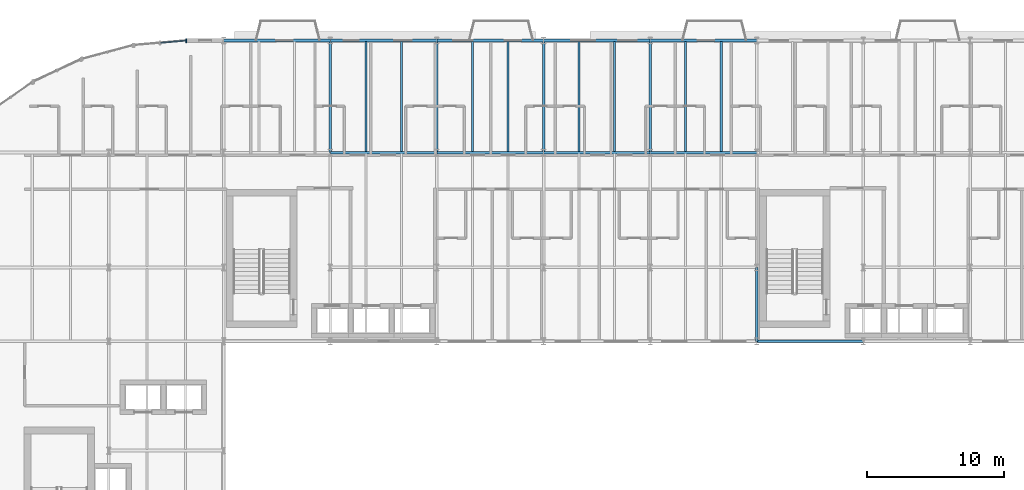
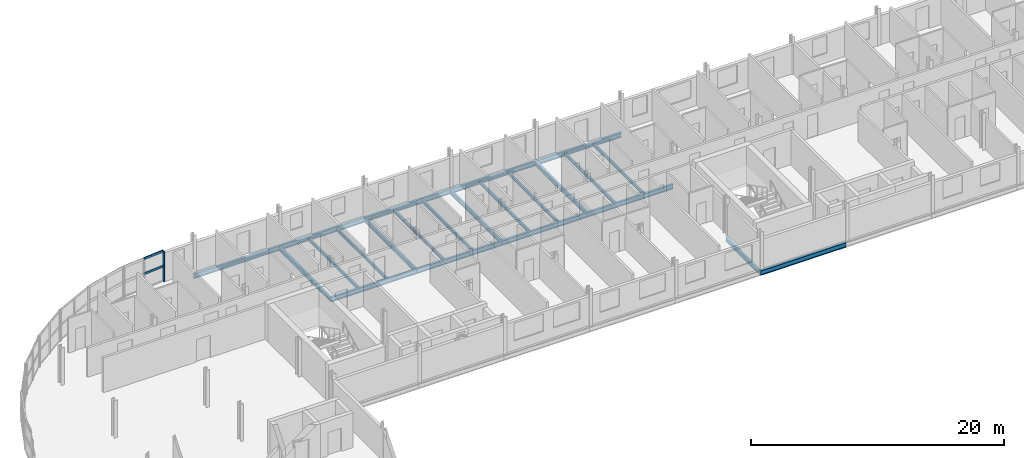
# One storey, part 12 of 36: 23 beams, 3 members, 1 element without a shape of its own.
"""IFC4 building model written with IfcOpenShell, lengths in metres."""

from ifc_helpers import new_model, si_unit, direction, frame, origin, origin_2d, place, context, subcontext, project, spatial, rectangle, i_section, extrude, material, layer, layer_set, material_profile, profile_set, type_object, element, aggregate, save


model = new_model("IFC4")

# Units and contexts
model_context = context("Model", 3, precision=1e-05, world=origin(), true_north=direction((0.0, 1.0)))
body_context = subcontext(model_context, "Body", "Model", "MODEL_VIEW")
ifc_project = project(units=[si_unit("LENGTHUNIT", "METRE"), si_unit("AREAUNIT", "SQUARE_METRE"), si_unit("VOLUMEUNIT", "CUBIC_METRE"), si_unit("PLANEANGLEUNIT", "RADIAN"), si_unit("MASSUNIT", "GRAM", prefix="KILO")], contexts=[model_context])

# Site, building, storey
site_placement = place(None, origin())
site = spatial("IfcSite", under=ifc_project, at=site_placement, CompositionType="ELEMENT")
building_placement = place(site_placement, origin())
building = spatial("IfcBuilding", under=site, at=building_placement, Name="Sefraquen Railside Congress Hotel", CompositionType="ELEMENT")
storey_placement = place(building_placement, frame((0.0, 0.0, 28.199951171875)))
storey = spatial("IfcBuildingStorey", under=building, at=storey_placement, Name="L06", CompositionType="ELEMENT", Elevation=28.199951171875)

# Beams
ifc_material_1 = material(Name="Steel S355JR", Category="steel")
ifc_material_profile_1 = material_profile(ifc_material_1, i_section(OverallWidth=0.179931640625, OverallDepth=0.39990234375, WebThickness=0.008544921875, FlangeThickness=0.013427734375, FilletRadius=0.02099609375, at=origin_2d()), Name="IPE 400")
ifc_profile_set_1 = profile_set([ifc_material_profile_1], Name="Steel S355JR")
beam_type_1 = type_object("IfcBeamType", Name="TB-BM-400I", PredefinedType="BEAM", material=ifc_profile_set_1)
for number, where, z_axis, x_axis, name in (
    (1, (33.0, 109.800048828125, -0.4599609375), (0.0, 1.0, 0.0), (-1.0, 0.0, 0.0), "Floor beam BM-L06-1673"),
    (2, (40.800048828125, 109.800048828125, -0.4599609375), (0.0, 1.0, 0.0), (-1.0, 0.0, 0.0), "Floor beam BM-L06-1676"),
    (3, (48.60009765625, 109.800048828125, -0.4599609375), (0.0, 1.0, 0.0), (-1.0, 0.0, 0.0), "Floor beam BM-L06-1679"),
    (4, (56.39990234375, 109.800048828125, -0.4599609375), (0.0, 1.0, 0.0), (-1.0, 0.0, 0.0), "Floor beam BM-L06-1682"),
):
    element("IfcBeam", number, at=place(storey_placement, frame(where, z_axis=z_axis, x_axis=x_axis)), inside=storey, type_object=beam_type_1, Name=name, PredefinedType="BEAM", context=body_context, shape_type="SweptSolid", body=[
        extrude(i_section(OverallWidth=0.179931640625, OverallDepth=0.39990234375, WebThickness=0.008544921875, FlangeThickness=0.013427734375, FilletRadius=0.02099609375, at=origin_2d()), origin(), (0.0, 0.0, 1.0), 8.199951171875),
    ])
beam_1_placement = place(storey_placement, frame((64.199951171875, 96.0, -0.4599609375), z_axis=(0.0, 1.0, 0.0), x_axis=(-1.0, 0.0, 0.0)))
element("IfcBeam", 5, at=beam_1_placement, inside=storey, type_object=beam_type_1, Name="Floor beam BM-L06-1683", PredefinedType="BEAM", context=body_context, shape_type="SweptSolid", body=[
    extrude(i_section(OverallWidth=0.179931640625, OverallDepth=0.39990234375, WebThickness=0.008544921875, FlangeThickness=0.013427734375, FilletRadius=0.02099609375, at=origin_2d()), origin(), (0.0, 0.0, 1.0), 5.39990234375),
])
ifc_material_profile_2 = material_profile(ifc_material_1, i_section(OverallWidth=0.18994140625, OverallDepth=0.449951171875, WebThickness=0.009521484375, FlangeThickness=0.0146484375, FilletRadius=0.02099609375, at=origin_2d()), Name="IPE 450")
ifc_profile_set_2 = profile_set([ifc_material_profile_2], Name="Steel S355JR")
beam_type_2 = type_object("IfcBeamType", Name="TB-BM-450", PredefinedType="BEAM", material=ifc_profile_set_2)
for number, where, z_axis, x_axis, name in (
    (6, (64.199951171875, 96.0, -0.48486328125), (1.0, 0.0, 0.0), (0.0, 1.0, 0.0), "Primary girder BM-L06-1604"),
    (7, (33.0, 109.800048828125, -0.48486328125), (1.0, 0.0, 0.0), (0.0, 1.0, 0.0), "Primary girder BM-L06-1626"),
    (8, (40.800048828125, 109.800048828125, -0.48486328125), (1.0, 0.0, 0.0), (0.0, 1.0, 0.0), "Primary girder BM-L06-1627"),
):
    element("IfcBeam", number, at=place(storey_placement, frame(where, z_axis=z_axis, x_axis=x_axis)), inside=storey, type_object=beam_type_2, Name=name, PredefinedType="BEAM", context=body_context, shape_type="SweptSolid", body=[
        extrude(i_section(OverallWidth=0.18994140625, OverallDepth=0.449951171875, WebThickness=0.009521484375, FlangeThickness=0.0146484375, FilletRadius=0.02099609375, at=origin_2d()), origin(), (0.0, 0.0, 1.0), 7.800048828125),
    ])
beam_2_placement = place(storey_placement, frame((48.60009765625, 109.800048828125, -0.48486328125), z_axis=(1.0, 0.0, 0.0), x_axis=(0.0, 1.0, 0.0)))
element("IfcBeam", 9, at=beam_2_placement, inside=storey, type_object=beam_type_2, Name="Primary girder BM-L06-1628", PredefinedType="BEAM", context=body_context, shape_type="SweptSolid", body=[
    extrude(i_section(OverallWidth=0.18994140625, OverallDepth=0.449951171875, WebThickness=0.009521484375, FlangeThickness=0.0146484375, FilletRadius=0.02099609375, at=origin_2d()), origin(), (0.0, 0.0, 1.0), 7.7998046875),
])
for number, where, z_axis, x_axis, name in (
    (10, (56.39990234375, 109.800048828125, -0.48486328125), (1.0, 0.0, 0.0), (0.0, 1.0, 0.0), "Primary girder BM-L06-1629"),
    (11, (25.199951171875, 118.0, -0.48486328125), (1.0, 0.0, 0.0), (0.0, 1.0, 0.0), "Primary girder BM-L06-1637"),
    (12, (33.0, 118.0, -0.48486328125), (1.0, 0.0, 0.0), (0.0, 1.0, 0.0), "Primary girder BM-L06-1638"),
    (13, (40.800048828125, 118.0, -0.48486328125), (1.0, 0.0, 0.0), (0.0, 1.0, 0.0), "Primary girder BM-L06-1639"),
):
    element("IfcBeam", number, at=place(storey_placement, frame(where, z_axis=z_axis, x_axis=x_axis)), inside=storey, type_object=beam_type_2, Name=name, PredefinedType="BEAM", context=body_context, shape_type="SweptSolid", body=[
        extrude(i_section(OverallWidth=0.18994140625, OverallDepth=0.449951171875, WebThickness=0.009521484375, FlangeThickness=0.0146484375, FilletRadius=0.02099609375, at=origin_2d()), origin(), (0.0, 0.0, 1.0), 7.800048828125),
    ])
beam_3_placement = place(storey_placement, frame((48.60009765625, 118.0, -0.48486328125), z_axis=(1.0, 0.0, 0.0), x_axis=(0.0, 1.0, 0.0)))
element("IfcBeam", 14, at=beam_3_placement, inside=storey, type_object=beam_type_2, Name="Primary girder BM-L06-1640", PredefinedType="BEAM", context=body_context, shape_type="SweptSolid", body=[
    extrude(i_section(OverallWidth=0.18994140625, OverallDepth=0.449951171875, WebThickness=0.009521484375, FlangeThickness=0.0146484375, FilletRadius=0.02099609375, at=origin_2d()), origin(), (0.0, 0.0, 1.0), 7.7998046875),
])
beam_4_placement = place(storey_placement, frame((56.39990234375, 118.0, -0.48486328125), z_axis=(1.0, 0.0, 0.0), x_axis=(0.0, 1.0, 0.0)))
element("IfcBeam", 15, at=beam_4_placement, inside=storey, type_object=beam_type_2, Name="Primary girder BM-L06-1641", PredefinedType="BEAM", context=body_context, shape_type="SweptSolid", body=[
    extrude(i_section(OverallWidth=0.18994140625, OverallDepth=0.449951171875, WebThickness=0.009521484375, FlangeThickness=0.0146484375, FilletRadius=0.02099609375, at=origin_2d()), origin(), (0.0, 0.0, 1.0), 7.800048828125),
])
ifc_material_profile_3 = material_profile(ifc_material_1, i_section(OverallWidth=0.14990234375, OverallDepth=0.300048828125, WebThickness=0.007080078125, FlangeThickness=0.0107421875, FilletRadius=0.014892578125, at=origin_2d()), Name="IPE 300")
ifc_profile_set_3 = profile_set([ifc_material_profile_3], Name="Steel S355JR")
beam_type_3 = type_object("IfcBeamType", Name="TB-JST-300", PredefinedType="JOIST", material=ifc_profile_set_3)
for number, where, z_axis, x_axis, name in (
    (16, (35.60009765625, 109.875, -0.409912109375), (0.0, 1.0, 0.0), (-1.0, 0.0, 0.0), "Composite floor joist BM-L06-J1086"),
    (17, (38.199951171875, 109.875, -0.409912109375), (0.0, 1.0, 0.0), (-1.0, 0.0, 0.0), "Composite floor joist BM-L06-J1087"),
    (18, (43.39990234375, 109.875, -0.409912109375), (0.0, 1.0, 0.0), (-1.0, 0.0, 0.0), "Composite floor joist BM-L06-J1092"),
    (19, (46.0, 109.875, -0.409912109375), (0.0, 1.0, 0.0), (-1.0, 0.0, 0.0), "Composite floor joist BM-L06-J1093"),
    (20, (51.199951171875, 109.875, -0.409912109375), (0.0, 1.0, 0.0), (-1.0, 0.0, 0.0), "Composite floor joist BM-L06-J1098"),
    (21, (53.800048828125, 109.875, -0.409912109375), (0.0, 1.0, 0.0), (-1.0, 0.0, 0.0), "Composite floor joist BM-L06-J1099"),
    (22, (59.0, 109.875, -0.409912109375), (0.0, 1.0, 0.0), (-1.0, 0.0, 0.0), "Composite floor joist BM-L06-J1104"),
    (23, (61.60009765625, 109.875, -0.409912109375), (0.0, 1.0, 0.0), (-1.0, 0.0, 0.0), "Composite floor joist BM-L06-J1105"),
):
    element("IfcBeam", number, at=place(storey_placement, frame(where, z_axis=z_axis, x_axis=x_axis)), inside=storey, type_object=beam_type_3, Name=name, PredefinedType="JOIST", context=body_context, shape_type="SweptSolid", body=[
        extrude(i_section(OverallWidth=0.14990234375, OverallDepth=0.300048828125, WebThickness=0.007080078125, FlangeThickness=0.0107421875, FilletRadius=0.014892578125, at=origin_2d()), origin(), (0.0, 0.0, 1.0), 8.050048828125),
    ])

# Curtain wall, members
ifc_material_2 = material(Name="Thermally broken anodised aluminium and low-E double glazing", Category="aluminium")
ifc_layer = layer(ifc_material_2, 0.199951171875)
ifc_layer_set = layer_set([ifc_layer], Name="Thermally broken anodised aluminium and low-E double glazing")
curtain_wall_type = type_object("IfcCurtainWallType", Name="TCW-UCW-23", PredefinedType="USERDEFINED", material=ifc_layer_set)
curtain_wall_placement = place(storey_placement, origin())
curtain_wall = element("IfcCurtainWall", 24, at=curtain_wall_placement, inside=storey, type_object=curtain_wall_type, Name="Rotunda L06 curved curtain wall facet 1", ObjectType="UNITISED CURTAIN WALL", PredefinedType="USERDEFINED")
ifc_material_3 = material(Name="Thermally broken anodised aluminium 6063-T6", Category="aluminium")
ifc_material_profile_4 = material_profile(ifc_material_3, rectangle(XDim=0.094970703125, YDim=0.300048828125, at=origin_2d()), Name="CWM 95x300")
ifc_profile_set_4 = profile_set([ifc_material_profile_4], Name="Thermally broken anodised aluminium 6063-T6")
member_type_1 = type_object("IfcMemberType", Name="TM-CWM-08", PredefinedType="MULLION", material=ifc_profile_set_4)
member_1_placement = place(storey_placement, frame((22.460205078125, 117.99658203125, 0.0), z_axis=(0.0, 0.0, 1.0), x_axis=(1.0, 0.0, 0.0)))
member_1 = element("IfcMember", 25, at=member_1_placement, type_object=member_type_1, Name="CW-L06-ROT-01 mullion 1", PredefinedType="MULLION", context=body_context, shape_type="SweptSolid", body=[
    extrude(rectangle(XDim=0.094970703125, YDim=0.300048828125, at=origin_2d()), origin(), (0.0, 0.0, 1.0), 2.91015625),
])
ifc_material_profile_5 = material_profile(ifc_material_3, rectangle(XDim=0.090087890625, YDim=0.2099609375, at=origin_2d()), Name="CWT 90x210")
ifc_profile_set_5 = profile_set([ifc_material_profile_5], Name="Thermally broken anodised aluminium 6063-T6")
member_type_2 = type_object("IfcMemberType", Name="TM-CWT-07", PredefinedType="USERDEFINED", material=ifc_profile_set_5)
member_2_placement = place(storey_placement, frame((22.415283203125, 117.99267578125, 1.455078125), z_axis=(-0.996190387898, -0.08720499447, 0.0), x_axis=(0.08720499447, -0.996190387898, 0.0)))
member_2 = element("IfcMember", 26, at=member_2_placement, type_object=member_type_2, Name="CW-L06-ROT-01 transom 2.1", ObjectType="TRANSOM", PredefinedType="USERDEFINED", context=body_context, shape_type="SweptSolid", body=[
    extrude(rectangle(XDim=0.090087890625, YDim=0.2099609375, at=origin_2d()), origin(), (0.0, 0.0, 1.0), 1.8310546875),
])
member_3_placement = place(storey_placement, frame((22.415283203125, 117.99267578125, 2.91015625), z_axis=(-0.996190387898, -0.08720499447, 0.0), x_axis=(0.08720499447, -0.996190387898, 0.0)))
member_3 = element("IfcMember", 27, at=member_3_placement, type_object=member_type_2, Name="CW-L06-ROT-01 transom 3.1", ObjectType="TRANSOM", PredefinedType="USERDEFINED", context=body_context, shape_type="SweptSolid", body=[
    extrude(rectangle(XDim=0.090087890625, YDim=0.2099609375, at=origin_2d()), origin(), (0.0, 0.0, 1.0), 1.8310546875),
])
aggregate(curtain_wall, [member_1, member_2, member_3])

save(model, "model.ifc")
